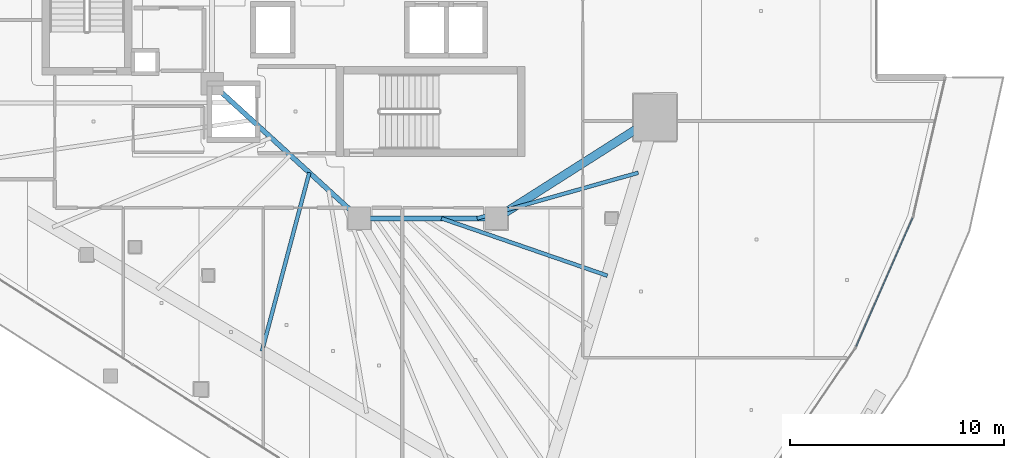
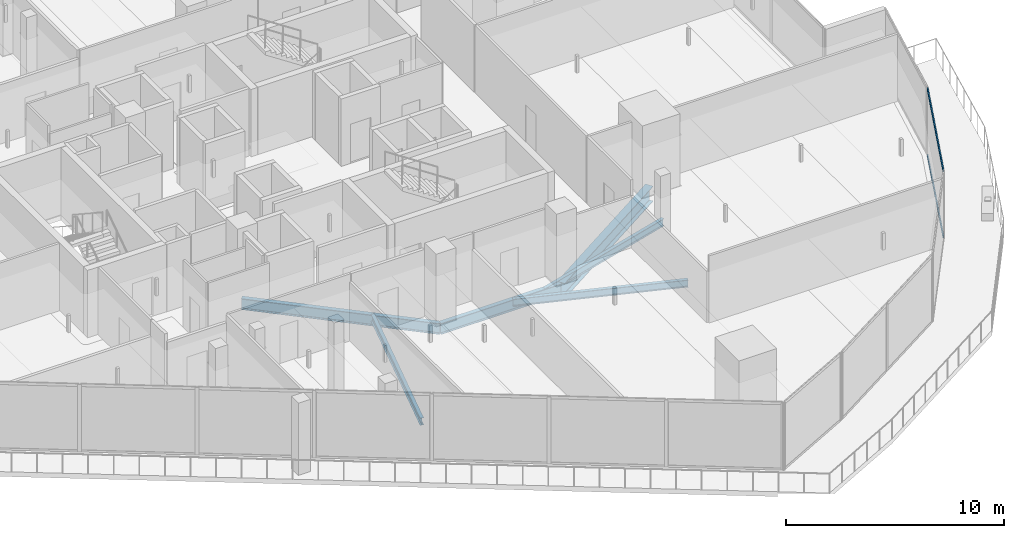
# One storey, part 10 of 38: 6 beams, 2 members, 1 element without a shape of its own.
"""IFC4 building model written with IfcOpenShell, lengths in metres."""

from ifc_helpers import new_model, si_unit, direction, frame, origin, origin_2d, place, context, subcontext, project, spatial, hollow_rectangle, i_section, extrude, material, layer, layer_set, material_profile, profile_set, type_object, element, aggregate, save


model = new_model("IFC4")

# Units and contexts
model_context = context("Model", 3, precision=1e-05, world=origin(), true_north=direction((0.0, 1.0)))
body_context = subcontext(model_context, "Body", "Model", "MODEL_VIEW")
ifc_project = project(units=[si_unit("LENGTHUNIT", "METRE"), si_unit("AREAUNIT", "SQUARE_METRE"), si_unit("VOLUMEUNIT", "CUBIC_METRE"), si_unit("PLANEANGLEUNIT", "RADIAN"), si_unit("MASSUNIT", "GRAM", prefix="KILO")], contexts=[model_context])

# Site, building, storey
site_placement = place(None, origin())
site = spatial("IfcSite", under=ifc_project, at=site_placement, CompositionType="ELEMENT")
building_placement = place(site_placement, origin())
building = spatial("IfcBuilding", under=site, at=building_placement, Name="Qorvath Tower", CompositionType="ELEMENT")
storey_placement = place(building_placement, frame((0.0, 0.0, 146.25)))
storey = spatial("IfcBuildingStorey", under=building, at=storey_placement, Name="L33", CompositionType="ELEMENT", Elevation=146.25)

# Beams
ifc_material_1 = material(Name="Steel ASTM A992 Grade 50", Category="steel")
ifc_material_profile_1 = material_profile(ifc_material_1, i_section(OverallWidth=0.39892578125, OverallDepth=0.85498046875, WebThickness=0.018310546875, FlangeThickness=0.029296875, FilletRadius=0.02001953125, at=origin_2d()), Name="W33x201")
ifc_profile_set_1 = profile_set([ifc_material_profile_1], Name="Steel ASTM A992 Grade 50")
beam_type_1 = type_object("IfcBeamType", Name="BM-FG2", PredefinedType="BEAM", material=ifc_profile_set_1)
beam_1_placement = place(storey_placement, frame((-17.199951171875, -11.449951171875, -0.697509765625), z_axis=(0.843634090834, 0.536918542037, 0.0), x_axis=(-0.536918542037, 0.843634090834, 0.0)))
element("IfcBeam", 1, at=beam_1_placement, inside=storey, type_object=beam_type_1, Name="Radial Floor Girder CC3-MC4 L33", PredefinedType="BEAM", context=body_context, shape_type="SweptSolid", body=[
    extrude(i_section(OverallWidth=0.39892578125, OverallDepth=0.85498046875, WebThickness=0.018310546875, FlangeThickness=0.029296875, FilletRadius=0.02001953125, at=origin_2d()), origin(), (0.0, 0.0, 1.0), 8.806884765625),
])
ifc_material_2 = material(Name="Steel ASTM A992 Grade 50", Category="steel")
ifc_material_profile_2 = material_profile(ifc_material_2, i_section(OverallWidth=0.22998046875, OverallDepth=0.616943359375, WebThickness=0.01318359375, FlangeThickness=0.022216796875, FilletRadius=0.014892578125, at=origin_2d()), Name="W24x94")
ifc_profile_set_2 = profile_set([ifc_material_profile_2], Name="Steel ASTM A992 Grade 50")
beam_type_2 = type_object("IfcBeamType", Name="BM-FG6", PredefinedType="BEAM", material=ifc_profile_set_2)
beam_2_placement = place(storey_placement, frame((-17.199951171875, -11.449951171875, -0.57861328125), z_axis=(-1.0, 0.0, 0.0), x_axis=(0.0, -1.0, 0.0)))
element("IfcBeam", 2, at=beam_2_placement, inside=storey, type_object=beam_type_2, Name="Core Ring Girder CC3-CC4 L33", PredefinedType="BEAM", context=body_context, shape_type="SweptSolid", body=[
    extrude(i_section(OverallWidth=0.22998046875, OverallDepth=0.616943359375, WebThickness=0.01318359375, FlangeThickness=0.022216796875, FilletRadius=0.014892578125, at=origin_2d()), origin(), (0.0, 0.0, 1.0), 6.400146484375),
])
beam_3_placement = place(storey_placement, frame((-23.60009765625, -11.449951171875, -0.57861328125), z_axis=(-0.73847813985, 0.6742774184, 0.0), x_axis=(-0.6742774184, -0.73847813985, 0.0)))
element("IfcBeam", 3, at=beam_3_placement, inside=storey, type_object=beam_type_2, Name="Core Ring Girder CC4-CC6 L33", PredefinedType="BEAM", context=body_context, shape_type="SweptSolid", body=[
    extrude(i_section(OverallWidth=0.22998046875, OverallDepth=0.616943359375, WebThickness=0.01318359375, FlangeThickness=0.022216796875, FilletRadius=0.014892578125, at=origin_2d()), origin(), (0.0, 0.0, 1.0), 9.343505859375),
])
ifc_material_3 = material(Name="Steel ASTM A992 Grade 50", Category="steel")
ifc_material_profile_3 = material_profile(ifc_material_3, i_section(OverallWidth=0.177978515625, OverallDepth=0.406005859375, WebThickness=0.0078125, FlangeThickness=0.0126953125, FilletRadius=0.010986328125, at=origin_2d()), Name="W16x40")
ifc_profile_set_3 = profile_set([ifc_material_profile_3], Name="Steel ASTM A992 Grade 50")
beam_type_3 = type_object("IfcBeamType", Name="BM-FJ3", PredefinedType="JOIST", material=ifc_profile_set_3)
beam_4_placement = place(storey_placement, frame((-18.095947265625, -11.449951171875, -0.472900390625), z_axis=(0.962222206221, 0.272265359264, 0.0), x_axis=(-0.272265359264, 0.962222206221, 0.0)))
element("IfcBeam", 4, at=beam_4_placement, inside=storey, type_object=beam_type_3, Name="Composite Floor Joist SE1 L33", PredefinedType="JOIST", context=body_context, shape_type="SweptSolid", body=[
    extrude(i_section(OverallWidth=0.177978515625, OverallDepth=0.406005859375, WebThickness=0.0078125, FlangeThickness=0.0126953125, FilletRadius=0.010986328125, at=origin_2d()), origin(), (0.0, 0.0, 1.0), 7.841552734375),
])
beam_5_placement = place(storey_placement, frame((-19.760009765625, -11.449951171875, -0.472900390625), z_axis=(0.945168345309, -0.326583525342, 0.0), x_axis=(0.326583525342, 0.945168345309, 0.0)))
element("IfcBeam", 5, at=beam_5_placement, inside=storey, type_object=beam_type_3, Name="Composite Floor Joist SE3 L33", PredefinedType="JOIST", context=body_context, shape_type="SweptSolid", body=[
    extrude(i_section(OverallWidth=0.177978515625, OverallDepth=0.406005859375, WebThickness=0.0078125, FlangeThickness=0.0126953125, FilletRadius=0.010986328125, at=origin_2d()), origin(), (0.0, 0.0, 1.0), 8.21044921875),
])
beam_6_placement = place(storey_placement, frame((-25.946044921875, -9.30810546875, -0.472900390625), z_axis=(-0.256507909517, -0.966542131702, 0.0), x_axis=(0.966542131702, -0.256507909517, 0.0)))
element("IfcBeam", 6, at=beam_6_placement, inside=storey, type_object=beam_type_3, Name="Composite Floor Joist SW5 L33", PredefinedType="JOIST", context=body_context, shape_type="SweptSolid", body=[
    extrude(i_section(OverallWidth=0.177978515625, OverallDepth=0.406005859375, WebThickness=0.0078125, FlangeThickness=0.0126953125, FilletRadius=0.010986328125, at=origin_2d()), origin(), (0.0, 0.0, 1.0), 8.64697265625),
])

# Curtain wall, members
ifc_material_4 = material(Name="Anodised aluminium and triple low-E glass", Category="aluminium")
ifc_layer = layer(ifc_material_4, 0.179931640625)
ifc_layer_set = layer_set([ifc_layer], Name="CW-SYS-3")
curtain_wall_type = type_object("IfcCurtainWallType", Name="CW-SYS-3", PredefinedType="NOTDEFINED", material=ifc_layer_set)
curtain_wall_placement = place(storey_placement, origin())
curtain_wall = element("IfcCurtainWall", 7, at=curtain_wall_placement, inside=storey, type_object=curtain_wall_type, Name="Curtain Wall CW-3 CW-T-L33-6.1", PredefinedType="NOTDEFINED")
ifc_material_5 = material(Name="Anodised aluminium 6063-T6", Category="aluminium")
ifc_material_profile_4 = material_profile(ifc_material_5, hollow_rectangle(XDim=0.06494140625, YDim=0.159912109375, WallThickness=0.00341796875, InnerFilletRadius=0.00341796875, OuterFilletRadius=0.007080078125, at=origin_2d()), Name="CWT 160x65")
ifc_profile_set_4 = profile_set([ifc_material_profile_4], Name="Anodised aluminium 6063-T6")
member_type = type_object("IfcMemberType", Name="CWT-160", PredefinedType="USERDEFINED", material=ifc_profile_set_4)
member_1_placement = place(storey_placement, frame((-0.35205078125, -17.447021484375, 0.032470703125), z_axis=(0.401857137261, 0.915702375902, 0.0), x_axis=(-0.915702375902, 0.401857137261, 0.0)))
member_1 = element("IfcMember", 8, at=member_1_placement, type_object=member_type, Name="CW-3 transom 1.1", ObjectType="TRANSOM", PredefinedType="USERDEFINED", context=body_context, shape_type="SweptSolid", body=[
    extrude(hollow_rectangle(XDim=0.06494140625, YDim=0.159912109375, WallThickness=0.00341796875, InnerFilletRadius=0.00341796875, OuterFilletRadius=0.007080078125, at=origin_2d()), origin(), (0.0, 0.0, 1.0), 6.572998046875),
])
member_2_placement = place(storey_placement, frame((-0.35205078125, -17.447021484375, 3.74755859375), z_axis=(0.401857137261, 0.915702375902, 0.0), x_axis=(-0.915702375902, 0.401857137261, 0.0)))
member_2 = element("IfcMember", 9, at=member_2_placement, type_object=member_type, Name="CW-3 transom 1.2", ObjectType="TRANSOM", PredefinedType="USERDEFINED", context=body_context, shape_type="SweptSolid", body=[
    extrude(hollow_rectangle(XDim=0.06494140625, YDim=0.159912109375, WallThickness=0.00341796875, InnerFilletRadius=0.00341796875, OuterFilletRadius=0.007080078125, at=origin_2d()), origin(), (0.0, 0.0, 1.0), 6.572998046875),
])
aggregate(curtain_wall, [member_1, member_2])

save(model, "model.ifc")
